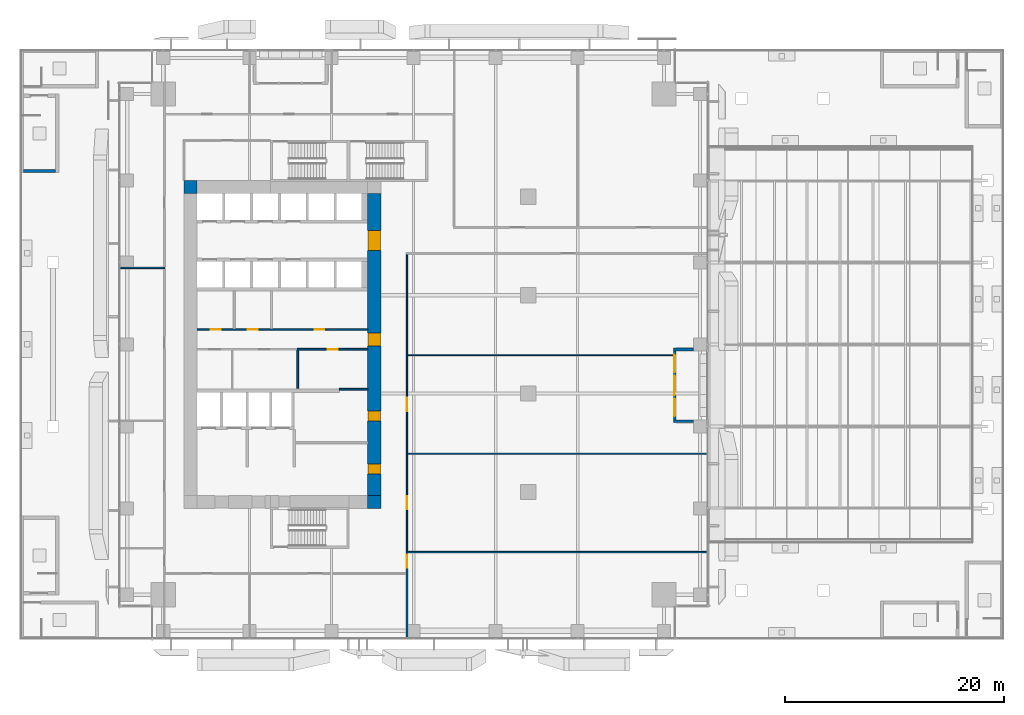
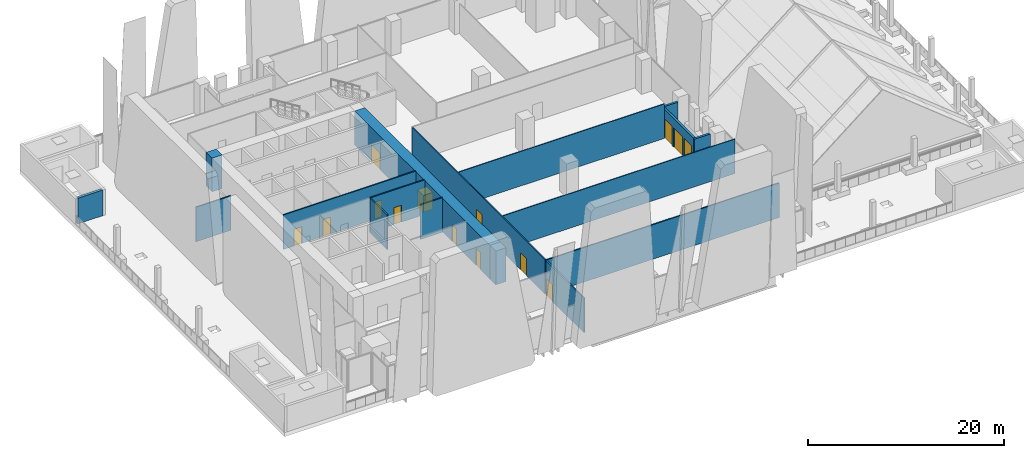
# One storey, part 36 of 46: 17 walls, 12 doors, 2 windows, 14 openings.
"""IFC4 building model written with IfcOpenShell, lengths in metres."""

from ifc_helpers import new_model, si_unit, direction, frame, frame_2d, origin, place, context, subcontext, project, spatial, rectangle, extrude, source, transform, mapped, material, layer, layer_set, type_object, element, fill, save


model = new_model("IFC4")

# Units and contexts
model_context = context("Model", 3, precision=1e-05, world=origin(), true_north=direction((0.0, 1.0)))
body_context = subcontext(model_context, "Body", "Model", "MODEL_VIEW")
ifc_project = project(units=[si_unit("LENGTHUNIT", "METRE"), si_unit("AREAUNIT", "SQUARE_METRE"), si_unit("VOLUMEUNIT", "CUBIC_METRE"), si_unit("PLANEANGLEUNIT", "RADIAN"), si_unit("MASSUNIT", "GRAM", prefix="KILO")], contexts=[model_context])

# Site, building, storey
site_placement = place(None, origin())
site = spatial("IfcSite", under=ifc_project, at=site_placement, CompositionType="ELEMENT")
building_placement = place(site_placement, origin())
building = spatial("IfcBuilding", under=site, at=building_placement, Name="Khomas Fold Tower", CompositionType="ELEMENT")
storey_placement = place(building_placement, frame((0.0, 0.0, 33.0)))
storey = spatial("IfcBuildingStorey", under=building, at=storey_placement, Name="L06", CompositionType="ELEMENT", Elevation=33.0)

# Walls
ifc_material_1 = material(Name="Concrete C70/85", Category="concrete")
ifc_layer_1 = layer(ifc_material_1, 1.199951171875)
ifc_layer_set_1 = layer_set([ifc_layer_1], Name="Concrete C70/85")
wall_type_1 = type_object("IfcWallType", Name="Core corner wall 1200", PredefinedType="SHEAR", material=ifc_layer_set_1)
shared_shape_1 = source(origin(), body_context, "Body", "SweptSolid", [
    extrude(rectangle(XDim=1.199951171875, YDim=1.199951171875, at=frame_2d((0.60009765625, 0.0))), origin(), (0.0, 0.0, 1.0), 4.199951171875),
])
for number, where, z_axis, x_axis, name in (
    (1, (6.0, 41.39990234375, 0.0), (0.0, 0.0, 1.0), (1.0, 0.0, 0.0), "Core wall CW-L-NW-B2"),
    (2, (22.800048828125, 12.60009765625, 0.0), (0.0, 0.0, 1.0), (1.0, 0.0, 0.0), "Core wall CW-L-SE-B2"),
):
    element("IfcWall", number, at=place(storey_placement, frame(where, z_axis=z_axis, x_axis=x_axis)), inside=storey, type_object=wall_type_1, Name=name, PredefinedType="SHEAR", context=body_context, shape_type="MappedRepresentation", body=[
        mapped(shared_shape_1, transform((0.0, 0.0, 0.0))),
    ])

# Wall, openings, doors
ifc_material_2 = material(Name="Concrete C70/85", Category="concrete")
ifc_layer_2 = layer(ifc_material_2, 1.199951171875)
ifc_layer_set_2 = layer_set([ifc_layer_2], Name="Concrete C70/85")
wall_type_2 = type_object("IfcWallType", Name="Core wall 1200", PredefinedType="SHEAR", material=ifc_layer_set_2)
shared_shape_2 = source(origin(), body_context, "Body", "SweptSolid", [
    extrude(rectangle(XDim=27.60009765625, YDim=1.199951171875, at=frame_2d((13.800048828125, 0.0))), origin(), (0.0, 0.0, 1.0), 4.199951171875),
])
wall_1_placement = place(storey_placement, frame((23.39990234375, 13.199951171875, 0.0), z_axis=(0.0, 0.0, 1.0), x_axis=(0.0, 1.0, 0.0)))
wall_1 = element("IfcWall", 3, at=wall_1_placement, inside=storey, type_object=wall_type_2, Name="Core wall CW-L-E-B2", PredefinedType="SHEAR", context=body_context, shape_type="MappedRepresentation", body=[
    mapped(shared_shape_2, transform((0.0, 0.0, 0.0))),
])
shared_shape_3 = source(origin(), body_context, "Body", "SweptSolid", [
    extrude(rectangle(XDim=1.800048828125, YDim=2.10009765625, at=frame_2d((0.89990234375, 1.050048828125))), frame((0.0, 0.60986328125, 0.0), z_axis=(0.0, -1.0, 0.0), x_axis=(1.0, 0.0, 0.0)), (0.0, 0.0, 1.0), 1.219970703125),
])
opening_1_placement = place(wall_1_placement, frame((22.39990234375, 0.0, 0.0)))
opening_1 = element("IfcOpeningElement", 4, at=opening_1_placement, cuts=wall_1, Name="Opening 0015", PredefinedType="OPENING", context=body_context, shape_type="MappedRepresentation", body=[
    mapped(shared_shape_3, transform((0.0, 0.0, 0.0))),
])
shared_shape_4 = source(origin(), body_context, "Body", "SweptSolid", [
    extrude(rectangle(XDim=1.199951171875, YDim=2.10009765625, at=frame_2d((0.60009765625, 1.050048828125))), frame((0.0, 0.60986328125, 0.0), z_axis=(0.0, -1.0, 0.0), x_axis=(1.0, 0.0, 0.0)), (0.0, 0.0, 1.0), 1.219970703125),
])
opening_2_placement = place(wall_1_placement, frame((13.64990234375, 0.0, 0.0)))
opening_2 = element("IfcOpeningElement", 5, at=opening_2_placement, cuts=wall_1, Name="Opening 0001", PredefinedType="OPENING", context=body_context, shape_type="MappedRepresentation", body=[
    mapped(shared_shape_4, transform((0.0, 0.0, 0.0))),
])
shared_shape_5 = source(origin(), body_context, "Body", "SweptSolid", [
    extrude(rectangle(XDim=0.89990234375, YDim=2.10009765625, at=frame_2d((0.449951171875, 1.050048828125))), frame((0.0, 0.60986328125, 0.0), z_axis=(0.0, -1.0, 0.0), x_axis=(1.0, 0.0, 0.0)), (0.0, 0.0, 1.0), 1.219970703125),
])
opening_3_placement = place(wall_1_placement, frame((1.949951171875, 0.0, 0.0)))
opening_3 = element("IfcOpeningElement", 6, at=opening_3_placement, cuts=wall_1, Name="Opening 0003", PredefinedType="OPENING", context=body_context, shape_type="MappedRepresentation", body=[
    mapped(shared_shape_5, transform((0.0, 0.0, 0.0))),
])
opening_4_placement = place(wall_1_placement, frame((6.800048828125, 0.0, 0.0)))
opening_4 = element("IfcOpeningElement", 7, at=opening_4_placement, cuts=wall_1, Name="Opening 0003", PredefinedType="OPENING", context=body_context, shape_type="MappedRepresentation", body=[
    mapped(shared_shape_5, transform((0.0, 0.0, 0.0))),
])
ifc_material_3 = material(Name="Timber door leaf", Category="wood")
door_type_1 = type_object("IfcDoorType", Name="Door 1200x2100 right-hand", OperationType="SINGLE_SWING_RIGHT", PredefinedType="DOOR", material=ifc_material_3)
shared_shape_6 = source(origin(), body_context, "Body", "SweptSolid", [
    extrude(rectangle(XDim=1.199951171875, YDim=2.10009765625, at=frame_2d((0.60009765625, 1.050048828125))), frame((0.0, 0.5498046875, 0.0), z_axis=(0.0, -1.0, 0.0), x_axis=(1.0, 0.0, 0.0)), (0.0, 0.0, 1.0), 1.099853515625),
])
door_1_placement = place(opening_2_placement, origin())
door_1 = element("IfcDoor", 8, at=door_1_placement, inside=storey, type_object=door_type_1, Name="Door", OperationType="SINGLE_SWING_RIGHT", OverallHeight=2.10009765625, OverallWidth=1.199951171875, PredefinedType="DOOR", context=body_context, shape_type="MappedRepresentation", body=[
    mapped(shared_shape_6, transform((0.0, 0.0, 0.0))),
])
fill(opening_2, door_1)
ifc_material_4 = material(Name="Steel door leaf", Category="steel")
door_type_2 = type_object("IfcDoorType", Name="Plant room door 900x2100 right-hand", OperationType="SINGLE_SWING_RIGHT", PredefinedType="DOOR", material=ifc_material_4)
shared_shape_7 = source(origin(), body_context, "Body", "SweptSolid", [
    extrude(rectangle(XDim=0.89990234375, YDim=2.10009765625, at=frame_2d((0.449951171875, 1.050048828125))), frame((0.0, 0.5498046875, 0.0), z_axis=(0.0, -1.0, 0.0), x_axis=(1.0, 0.0, 0.0)), (0.0, 0.0, 1.0), 1.099853515625),
])
door_2_placement = place(opening_3_placement, origin())
door_2 = element("IfcDoor", 9, at=door_2_placement, inside=storey, type_object=door_type_2, Name="Plant room door", OperationType="SINGLE_SWING_RIGHT", OverallHeight=2.10009765625, OverallWidth=0.89990234375, PredefinedType="DOOR", context=body_context, shape_type="MappedRepresentation", body=[
    mapped(shared_shape_7, transform((0.0, 0.0, 0.0))),
])
fill(opening_3, door_2)
door_3_placement = place(opening_4_placement, origin())
door_3 = element("IfcDoor", 10, at=door_3_placement, inside=storey, type_object=door_type_2, Name="Plant room door", OperationType="SINGLE_SWING_RIGHT", OverallHeight=2.10009765625, OverallWidth=0.89990234375, PredefinedType="DOOR", context=body_context, shape_type="MappedRepresentation", body=[
    mapped(shared_shape_7, transform((0.0, 0.0, 0.0))),
])
fill(opening_4, door_3)
ifc_material_5 = material(Name="Steel door leaf", Category="steel")
door_type_3 = type_object("IfcDoorType", Name="Lobby door 1800x2100", OperationType="DOUBLE_DOOR_SINGLE_SWING", PredefinedType="DOOR", material=ifc_material_5)
shared_shape_8 = source(origin(), body_context, "Body", "SweptSolid", [
    extrude(rectangle(XDim=1.800048828125, YDim=2.10009765625, at=frame_2d((0.89990234375, 1.050048828125))), frame((0.0, 0.5498046875, 0.0), z_axis=(0.0, -1.0, 0.0), x_axis=(1.0, 0.0, 0.0)), (0.0, 0.0, 1.0), 1.099853515625),
])
door_4_placement = place(opening_1_placement, origin())
door_4 = element("IfcDoor", 11, at=door_4_placement, inside=storey, type_object=door_type_3, Name="Lobby door", OperationType="DOUBLE_DOOR_SINGLE_SWING", OverallHeight=2.10009765625, OverallWidth=1.800048828125, PredefinedType="DOOR", context=body_context, shape_type="MappedRepresentation", body=[
    mapped(shared_shape_8, transform((0.0, 0.0, 0.0))),
])
fill(opening_1, door_4)

# Wall, openings, windows, door
ifc_material_6 = material(Name="Natural stone", Category="masonry")
ifc_layer_3 = layer(ifc_material_6, 0.0400390625)
ifc_material_7 = material(Name="Mineral wool insulation", Category="insulation")
ifc_layer_4 = layer(ifc_material_7, 0.10009765625)
ifc_material_8 = material(Name="Masonry", Category="masonry")
ifc_layer_5 = layer(ifc_material_8, 0.110107421875)
ifc_layer_set_3 = layer_set([ifc_layer_3, ifc_layer_4, ifc_layer_5], Name="Stone-faced insulated masonry")
wall_type_3 = type_object("IfcWallType", Name="BL-Balcony wall", PredefinedType="SOLIDWALL", material=ifc_layer_set_3)
shared_shape_9 = source(origin(), body_context, "Body", "SweptSolid", [
    extrude(rectangle(XDim=6.2998046875, YDim=0.25, at=frame_2d((3.14990234375, 0.0))), origin(), (0.0, 0.0, 1.0), 3.60009765625),
])
wall_2_placement = place(storey_placement, frame((50.875, 20.10009765625, 0.0), z_axis=(0.0, 0.0, 1.0), x_axis=(0.0, 1.0, 0.0)))
wall_2 = element("IfcWall", 12, at=wall_2_placement, inside=storey, type_object=wall_type_3, Name="Balcony wall BAL-L06-E2", PredefinedType="SOLIDWALL", context=body_context, shape_type="MappedRepresentation", body=[
    mapped(shared_shape_9, transform((0.0, 0.0, 0.0))),
])
shared_shape_10 = source(origin(), body_context, "Body", "SweptSolid", [
    extrude(rectangle(XDim=1.60009765625, YDim=2.39990234375, at=frame_2d((0.800048828125, 1.199951171875))), frame((0.0, 0.135009765625, 0.0), z_axis=(0.0, -1.0, 0.0), x_axis=(1.0, 0.0, 0.0)), (0.0, 0.0, 1.0), 0.27001953125),
])
opening_5_placement = place(wall_2_placement, frame((0.35009765625, 0.0, 0.0)))
opening_5 = element("IfcOpeningElement", 13, at=opening_5_placement, cuts=wall_2, Name="Opening BL-W1", PredefinedType="OPENING", context=body_context, shape_type="MappedRepresentation", body=[
    mapped(shared_shape_10, transform((0.0, 0.0, 0.0))),
])
opening_6_placement = place(wall_2_placement, frame((4.35009765625, 0.0, 0.0)))
opening_6 = element("IfcOpeningElement", 14, at=opening_6_placement, cuts=wall_2, Name="Opening BL-W1", PredefinedType="OPENING", context=body_context, shape_type="MappedRepresentation", body=[
    mapped(shared_shape_10, transform((0.0, 0.0, 0.0))),
])
shared_shape_11 = source(origin(), body_context, "Body", "SweptSolid", [
    extrude(rectangle(XDim=1.800048828125, YDim=2.39990234375, at=frame_2d((0.89990234375, 1.199951171875))), frame((0.0, 0.135009765625, 0.0), z_axis=(0.0, -1.0, 0.0), x_axis=(1.0, 0.0, 0.0)), (0.0, 0.0, 1.0), 0.27001953125),
])
opening_7_placement = place(wall_2_placement, frame((2.25, 0.0, 0.0)))
opening_7 = element("IfcOpeningElement", 15, at=opening_7_placement, cuts=wall_2, Name="Opening BD062", PredefinedType="OPENING", context=body_context, shape_type="MappedRepresentation", body=[
    mapped(shared_shape_11, transform((0.0, 0.0, 0.0))),
])
ifc_material_9 = material(Name="Aluminium framed double glazing", Category="aluminium")
window_type = type_object("IfcWindowType", Name="BL-Fixed glazing 1600 x 2400", PartitioningType="SINGLE_PANEL", PredefinedType="WINDOW", material=ifc_material_9)
shared_shape_12 = source(origin(), body_context, "Body", "SweptSolid", [
    extrude(rectangle(XDim=1.60009765625, YDim=2.39990234375, at=frame_2d((0.800048828125, 1.199951171875))), frame((0.0, 0.030029296875, 0.0), z_axis=(0.0, -1.0, 0.0), x_axis=(1.0, 0.0, 0.0)), (0.0, 0.0, 1.0), 0.06005859375),
])
window_1_placement = place(opening_5_placement, origin())
window_1 = element("IfcWindow", 16, at=window_1_placement, inside=storey, type_object=window_type, Name="Balcony glazing BAL-L06-E2-1", OverallHeight=2.39990234375, OverallWidth=1.60009765625, PartitioningType="SINGLE_PANEL", PredefinedType="WINDOW", context=body_context, shape_type="MappedRepresentation", body=[
    mapped(shared_shape_12, transform((0.0, 0.0, 0.0))),
])
fill(opening_5, window_1)
window_2_placement = place(opening_6_placement, origin())
window_2 = element("IfcWindow", 17, at=window_2_placement, inside=storey, type_object=window_type, Name="Balcony glazing BAL-L06-E2-2", OverallHeight=2.39990234375, OverallWidth=1.60009765625, PartitioningType="SINGLE_PANEL", PredefinedType="WINDOW", context=body_context, shape_type="MappedRepresentation", body=[
    mapped(shared_shape_12, transform((0.0, 0.0, 0.0))),
])
fill(opening_6, window_2)
ifc_material_10 = material(Name="Aluminium framed double glazing", Category="aluminium")
door_type_4 = type_object("IfcDoorType", Name="BL-Glazed balcony door 1800 x 2400", OperationType="DOUBLE_DOOR_DOUBLE_SWING", PredefinedType="DOOR", material=ifc_material_10)
shared_shape_13 = source(origin(), body_context, "Body", "SweptSolid", [
    extrude(rectangle(XDim=1.800048828125, YDim=2.39990234375, at=frame_2d((0.89990234375, 1.199951171875))), frame((0.0, 0.02490234375, 0.0), z_axis=(0.0, -1.0, 0.0), x_axis=(1.0, 0.0, 0.0)), (0.0, 0.0, 1.0), 0.050048828125),
])
door_5_placement = place(opening_7_placement, origin())
door_5 = element("IfcDoor", 18, at=door_5_placement, inside=storey, type_object=door_type_4, Name="Balcony door BD062", OperationType="DOUBLE_DOOR_DOUBLE_SWING", OverallHeight=2.39990234375, OverallWidth=1.800048828125, PredefinedType="DOOR", context=body_context, shape_type="MappedRepresentation", body=[
    mapped(shared_shape_13, transform((0.0, 0.0, 0.0))),
])
fill(opening_7, door_5)

# Walls
shared_shape_14 = source(origin(), body_context, "Body", "SweptSolid", [
    extrude(rectangle(XDim=1.85009765625, YDim=0.25, at=frame_2d((0.925048828125, 0.0))), origin(), (0.0, 0.0, 1.0), 3.60009765625),
])
for number, where, z_axis, x_axis, name in (
    (19, (52.60009765625, 19.97509765625, 0.0), (0.0, 0.0, 1.0), (-1.0, 0.0, 0.0), "Balcony return wall BAL-L06-E2-lo"),
    (20, (52.60009765625, 26.52490234375, 0.0), (0.0, 0.0, 1.0), (-1.0, 0.0, 0.0), "Balcony return wall BAL-L06-E2-hi"),
):
    element("IfcWall", number, at=place(storey_placement, frame(where, z_axis=z_axis, x_axis=x_axis)), inside=storey, type_object=wall_type_3, Name=name, PredefinedType="SOLIDWALL", context=body_context, shape_type="MappedRepresentation", body=[
        mapped(shared_shape_14, transform((0.0, 0.0, 0.0))),
    ])
ifc_material_11 = material(Name="Concrete C40/50", Category="concrete")
ifc_layer_6 = layer(ifc_material_11, 0.300048828125)
ifc_layer_set_4 = layer_set([ifc_layer_6], Name="Concrete C40/50")
wall_type_4 = type_object("IfcWallType", Name="Stair head house wall PD-HW", PredefinedType="SOLIDWALL", material=ifc_layer_set_4)
shared_shape_15 = source(origin(), body_context, "Body", "SweptSolid", [
    extrude(rectangle(XDim=2.949951171875, YDim=0.300048828125, at=frame_2d((1.47509765625, 0.0))), origin(), (0.0, 0.0, 1.0), 3.199951171875),
])
wall_3_placement = place(storey_placement, frame((-8.699951171875, 42.85009765625, 0.0), z_axis=(0.0, 0.0, 1.0), x_axis=(1.0, 0.0, 0.0)))
element("IfcWall", 21, at=wall_3_placement, inside=storey, type_object=wall_type_4, Name="Stair head house wall", PredefinedType="SOLIDWALL", context=body_context, shape_type="MappedRepresentation", body=[
    mapped(shared_shape_15, transform((0.0, 0.0, 0.0))),
])

# Wall, opening, door
ifc_material_12 = material(Name="Plasterboard fire partition")
ifc_layer_7 = layer(ifc_material_12, 0.14990234375)
ifc_layer_set_5 = layer_set([ifc_layer_7], Name="Plasterboard fire partition")
wall_type_5 = type_object("IfcWallType", Name="Plant room wall PW3 150", PredefinedType="PARTITIONING", material=ifc_layer_set_5)
shared_shape_16 = source(origin(), body_context, "Body", "SweptSolid", [
    extrude(rectangle(XDim=7.75, YDim=0.14990234375, at=frame_2d((3.875, 0.0))), origin(), (0.0, 0.0, 1.0), 4.300048828125),
])
wall_4_placement = place(storey_placement, frame((26.39990234375, 0.14990234375, 0.0), z_axis=(0.0, 0.0, 1.0), x_axis=(0.0, 1.0, 0.0)))
wall_4 = element("IfcWall", 22, at=wall_4_placement, inside=storey, type_object=wall_type_5, Name="Plant room wall", PredefinedType="PARTITIONING", context=body_context, shape_type="MappedRepresentation", body=[
    mapped(shared_shape_16, transform((0.0, 0.0, 0.0))),
])
shared_shape_17 = source(origin(), body_context, "Body", "SweptSolid", [
    extrude(rectangle(XDim=1.199951171875, YDim=2.10009765625, at=frame_2d((0.60009765625, 1.050048828125))), frame((0.0, 0.0849609375, 0.0), z_axis=(0.0, -1.0, 0.0), x_axis=(1.0, 0.0, 0.0)), (0.0, 0.0, 1.0), 0.169921875),
])
opening_8_placement = place(wall_4_placement, frame((6.39990234375, 0.0, 0.0)))
opening_8 = element("IfcOpeningElement", 23, at=opening_8_placement, cuts=wall_4, Name="Opening 0011", PredefinedType="OPENING", context=body_context, shape_type="MappedRepresentation", body=[
    mapped(shared_shape_17, transform((0.0, 0.0, 0.0))),
])
ifc_material_13 = material(Name="Steel door leaf", Category="steel")
door_type_5 = type_object("IfcDoorType", Name="Plant room door 1200x2100 right-hand", OperationType="SINGLE_SWING_RIGHT", PredefinedType="DOOR", material=ifc_material_13)
shared_shape_18 = source(origin(), body_context, "Body", "SweptSolid", [
    extrude(rectangle(XDim=1.199951171875, YDim=2.10009765625, at=frame_2d((0.60009765625, 1.050048828125))), frame((0.0, 0.02490234375, 0.0), z_axis=(0.0, -1.0, 0.0), x_axis=(1.0, 0.0, 0.0)), (0.0, 0.0, 1.0), 0.050048828125),
])
door_6_placement = place(opening_8_placement, origin())
door_6 = element("IfcDoor", 24, at=door_6_placement, inside=storey, type_object=door_type_5, Name="Plant room door", OperationType="SINGLE_SWING_RIGHT", OverallHeight=2.10009765625, OverallWidth=1.199951171875, PredefinedType="DOOR", context=body_context, shape_type="MappedRepresentation", body=[
    mapped(shared_shape_18, transform((0.0, 0.0, 0.0))),
])
fill(opening_8, door_6)

# Wall
shared_shape_19 = source(origin(), body_context, "Body", "SweptSolid", [
    extrude(rectangle(XDim=27.5, YDim=0.14990234375, at=frame_2d((13.75, 0.0))), origin(), (0.0, 0.0, 1.0), 4.300048828125),
])
wall_5_placement = place(storey_placement, frame((26.35009765625, 8.0, 0.0), z_axis=(0.0, 0.0, 1.0), x_axis=(1.0, 0.0, 0.0)))
element("IfcWall", 25, at=wall_5_placement, inside=storey, type_object=wall_type_5, Name="Plant room wall", PredefinedType="PARTITIONING", context=body_context, shape_type="MappedRepresentation", body=[
    mapped(shared_shape_19, transform((0.0, 0.0, 0.0))),
])

# Wall, openings, doors
ifc_material_14 = material(Name="Plasterboard partition")
ifc_layer_8 = layer(ifc_material_14, 0.125)
ifc_layer_set_6 = layer_set([ifc_layer_8], Name="Plasterboard partition")
wall_type_6 = type_object("IfcWallType", Name="Partition PW2 125", PredefinedType="PARTITIONING", material=ifc_layer_set_6)
shared_shape_20 = source(origin(), body_context, "Body", "SweptSolid", [
    extrude(rectangle(XDim=27.099853515625, YDim=0.125, at=frame_2d((13.5498046875, 0.0))), origin(), (0.0, 0.0, 1.0), 4.300048828125),
])
wall_6_placement = place(storey_placement, frame((26.39990234375, 8.10009765625, 0.0), z_axis=(0.0, 0.0, 1.0), x_axis=(0.0, 1.0, 0.0)))
wall_6 = element("IfcWall", 26, at=wall_6_placement, inside=storey, type_object=wall_type_6, Name="Partition", PredefinedType="PARTITIONING", context=body_context, shape_type="MappedRepresentation", body=[
    mapped(shared_shape_20, transform((0.0, 0.0, 0.0))),
])
shared_shape_21 = source(origin(), body_context, "Body", "SweptSolid", [
    extrude(rectangle(XDim=1.199951171875, YDim=2.10009765625, at=frame_2d((0.60009765625, 1.050048828125))), frame((0.0, 0.072509765625, 0.0), z_axis=(0.0, -1.0, 0.0), x_axis=(1.0, 0.0, 0.0)), (0.0, 0.0, 1.0), 0.14501953125),
])
opening_9_placement = place(wall_6_placement, frame((3.800048828125, 0.0, 0.0)))
opening_9 = element("IfcOpeningElement", 27, at=opening_9_placement, cuts=wall_6, Name="Opening 0013", PredefinedType="OPENING", context=body_context, shape_type="MappedRepresentation", body=[
    mapped(shared_shape_21, transform((0.0, 0.0, 0.0))),
])
opening_10_placement = place(wall_6_placement, frame((12.800048828125, 0.0, 0.0)))
opening_10 = element("IfcOpeningElement", 28, at=opening_10_placement, cuts=wall_6, Name="Opening 0013", PredefinedType="OPENING", context=body_context, shape_type="MappedRepresentation", body=[
    mapped(shared_shape_21, transform((0.0, 0.0, 0.0))),
])
ifc_material_15 = material(Name="Timber door leaf", Category="wood")
door_type_6 = type_object("IfcDoorType", Name="Door 1200x2100 left-hand", OperationType="SINGLE_SWING_LEFT", PredefinedType="DOOR", material=ifc_material_15)
door_7_placement = place(opening_9_placement, origin())
door_7 = element("IfcDoor", 29, at=door_7_placement, inside=storey, type_object=door_type_6, Name="Door", OperationType="SINGLE_SWING_LEFT", OverallHeight=2.10009765625, OverallWidth=1.199951171875, PredefinedType="DOOR", context=body_context, shape_type="MappedRepresentation", body=[
    mapped(shared_shape_18, transform((0.0, 0.0, 0.0))),
])
fill(opening_9, door_7)
door_8_placement = place(opening_10_placement, origin())
door_8 = element("IfcDoor", 30, at=door_8_placement, inside=storey, type_object=door_type_6, Name="Door", OperationType="SINGLE_SWING_LEFT", OverallHeight=2.10009765625, OverallWidth=1.199951171875, PredefinedType="DOOR", context=body_context, shape_type="MappedRepresentation", body=[
    mapped(shared_shape_18, transform((0.0, 0.0, 0.0))),
])
fill(opening_10, door_8)

# Walls
ifc_material_16 = material(Name="Plasterboard partition")
ifc_layer_9 = layer(ifc_material_16, 0.10009765625)
ifc_layer_set_7 = layer_set([ifc_layer_9], Name="Plasterboard partition")
wall_type_7 = type_object("IfcWallType", Name="Partition PW1 100", PredefinedType="PARTITIONING", material=ifc_layer_set_7)
shared_shape_22 = source(origin(), body_context, "Body", "SweptSolid", [
    extrude(rectangle(XDim=27.35009765625, YDim=0.10009765625, at=frame_2d((13.675048828125, 0.0))), origin(), (0.0, 0.0, 1.0), 4.300048828125),
])
wall_7_placement = place(storey_placement, frame((26.5, 17.0, 0.0), z_axis=(0.0, 0.0, 1.0), x_axis=(1.0, 0.0, 0.0)))
element("IfcWall", 31, at=wall_7_placement, inside=storey, type_object=wall_type_7, Name="Partition", PredefinedType="PARTITIONING", context=body_context, shape_type="MappedRepresentation", body=[
    mapped(shared_shape_22, transform((0.0, 0.0, 0.0))),
])
shared_shape_23 = source(origin(), body_context, "Body", "SweptSolid", [
    extrude(rectangle(XDim=2.60009765625, YDim=0.14990234375, at=frame_2d((1.300048828125, 0.0))), origin(), (0.0, 0.0, 1.0), 4.300048828125),
])
wall_8_placement = place(storey_placement, frame((20.199951171875, 22.89990234375, 0.0), z_axis=(0.0, 0.0, 1.0), x_axis=(1.0, 0.0, 0.0)))
element("IfcWall", 32, at=wall_8_placement, inside=storey, type_object=wall_type_5, Name="Plant room wall", PredefinedType="PARTITIONING", context=body_context, shape_type="MappedRepresentation", body=[
    mapped(shared_shape_23, transform((0.0, 0.0, 0.0))),
])
shared_shape_24 = source(origin(), body_context, "Body", "SweptSolid", [
    extrude(rectangle(XDim=3.449951171875, YDim=0.14990234375, at=frame_2d((1.72509765625, 0.0))), origin(), (0.0, 0.0, 1.0), 4.300048828125),
])
wall_9_placement = place(storey_placement, frame((16.39990234375, 23.0, 0.0), z_axis=(0.0, 0.0, 1.0), x_axis=(0.0, 1.0, 0.0)))
element("IfcWall", 33, at=wall_9_placement, inside=storey, type_object=wall_type_5, Name="Plant room wall", PredefinedType="PARTITIONING", context=body_context, shape_type="MappedRepresentation", body=[
    mapped(shared_shape_24, transform((0.0, 0.0, 0.0))),
])
shared_shape_25 = source(origin(), body_context, "Body", "SweptSolid", [
    extrude(rectangle(XDim=24.25, YDim=0.10009765625, at=frame_2d((12.125, 0.0))), origin(), (0.0, 0.0, 1.0), 4.300048828125),
])
wall_10_placement = place(storey_placement, frame((26.5, 26.0, 0.0), z_axis=(0.0, 0.0, 1.0), x_axis=(1.0, 0.0, 0.0)))
element("IfcWall", 34, at=wall_10_placement, inside=storey, type_object=wall_type_7, Name="Partition", PredefinedType="PARTITIONING", context=body_context, shape_type="MappedRepresentation", body=[
    mapped(shared_shape_25, transform((0.0, 0.0, 0.0))),
])

# Wall, opening, door
shared_shape_26 = source(origin(), body_context, "Body", "SweptSolid", [
    extrude(rectangle(XDim=6.449951171875, YDim=0.14990234375, at=frame_2d((3.22509765625, 0.0))), origin(), (0.0, 0.0, 1.0), 4.300048828125),
])
wall_11_placement = place(storey_placement, frame((16.35009765625, 26.550048828125, 0.0), z_axis=(0.0, 0.0, 1.0), x_axis=(1.0, 0.0, 0.0)))
wall_11 = element("IfcWall", 35, at=wall_11_placement, inside=storey, type_object=wall_type_5, Name="Plant room wall", PredefinedType="PARTITIONING", context=body_context, shape_type="MappedRepresentation", body=[
    mapped(shared_shape_26, transform((0.0, 0.0, 0.0))),
])
shared_shape_27 = source(origin(), body_context, "Body", "SweptSolid", [
    extrude(rectangle(XDim=0.89990234375, YDim=2.10009765625, at=frame_2d((0.449951171875, 1.050048828125))), frame((0.0, 0.0849609375, 0.0), z_axis=(0.0, -1.0, 0.0), x_axis=(1.0, 0.0, 0.0)), (0.0, 0.0, 1.0), 0.169921875),
])
opening_11_placement = place(wall_11_placement, frame((2.800048828125, 0.0, 0.0)))
opening_11 = element("IfcOpeningElement", 36, at=opening_11_placement, cuts=wall_11, Name="Opening 0002", PredefinedType="OPENING", context=body_context, shape_type="MappedRepresentation", body=[
    mapped(shared_shape_27, transform((0.0, 0.0, 0.0))),
])
ifc_material_17 = material(Name="Steel door leaf", Category="steel")
door_type_7 = type_object("IfcDoorType", Name="Plant room door 900x2100 left-hand", OperationType="SINGLE_SWING_LEFT", PredefinedType="DOOR", material=ifc_material_17)
shared_shape_28 = source(origin(), body_context, "Body", "SweptSolid", [
    extrude(rectangle(XDim=0.89990234375, YDim=2.10009765625, at=frame_2d((0.449951171875, 1.050048828125))), frame((0.0, 0.02490234375, 0.0), z_axis=(0.0, -1.0, 0.0), x_axis=(1.0, 0.0, 0.0)), (0.0, 0.0, 1.0), 0.050048828125),
])
door_9_placement = place(opening_11_placement, origin())
door_9 = element("IfcDoor", 37, at=door_9_placement, inside=storey, type_object=door_type_7, Name="Plant room door", OperationType="SINGLE_SWING_LEFT", OverallHeight=2.10009765625, OverallWidth=0.89990234375, PredefinedType="DOOR", context=body_context, shape_type="MappedRepresentation", body=[
    mapped(shared_shape_28, transform((0.0, 0.0, 0.0))),
])
fill(opening_11, door_9)

# Wall, openings, doors
shared_shape_29 = source(origin(), body_context, "Body", "SweptSolid", [
    extrude(rectangle(XDim=15.60009765625, YDim=0.14990234375, at=frame_2d((7.800048828125, 0.0))), origin(), (0.0, 0.0, 1.0), 4.300048828125),
])
wall_12_placement = place(storey_placement, frame((7.199951171875, 28.35009765625, 0.0), z_axis=(0.0, 0.0, 1.0), x_axis=(1.0, 0.0, 0.0)))
wall_12 = element("IfcWall", 38, at=wall_12_placement, inside=storey, type_object=wall_type_5, Name="Plant room wall", PredefinedType="PARTITIONING", context=body_context, shape_type="MappedRepresentation", body=[
    mapped(shared_shape_29, transform((0.0, 0.0, 0.0))),
])
opening_12_placement = place(wall_12_placement, frame((1.25, 0.0, 0.0)))
opening_12 = element("IfcOpeningElement", 39, at=opening_12_placement, cuts=wall_12, Name="Opening 0002", PredefinedType="OPENING", context=body_context, shape_type="MappedRepresentation", body=[
    mapped(shared_shape_27, transform((0.0, 0.0, 0.0))),
])
opening_13_placement = place(wall_12_placement, frame((4.64990234375, 0.0, 0.0)))
opening_13 = element("IfcOpeningElement", 40, at=opening_13_placement, cuts=wall_12, Name="Opening 0003", PredefinedType="OPENING", context=body_context, shape_type="MappedRepresentation", body=[
    mapped(shared_shape_27, transform((0.0, 0.0, 0.0))),
])
opening_14_placement = place(wall_12_placement, frame((10.75, 0.0, 0.0)))
opening_14 = element("IfcOpeningElement", 41, at=opening_14_placement, cuts=wall_12, Name="Opening 0002", PredefinedType="OPENING", context=body_context, shape_type="MappedRepresentation", body=[
    mapped(shared_shape_27, transform((0.0, 0.0, 0.0))),
])
door_10_placement = place(opening_12_placement, origin())
door_10 = element("IfcDoor", 42, at=door_10_placement, inside=storey, type_object=door_type_7, Name="Plant room door", OperationType="SINGLE_SWING_LEFT", OverallHeight=2.10009765625, OverallWidth=0.89990234375, PredefinedType="DOOR", context=body_context, shape_type="MappedRepresentation", body=[
    mapped(shared_shape_28, transform((0.0, 0.0, 0.0))),
])
fill(opening_12, door_10)
door_11_placement = place(opening_13_placement, origin())
door_11 = element("IfcDoor", 43, at=door_11_placement, inside=storey, type_object=door_type_2, Name="Plant room door", OperationType="SINGLE_SWING_RIGHT", OverallHeight=2.10009765625, OverallWidth=0.89990234375, PredefinedType="DOOR", context=body_context, shape_type="MappedRepresentation", body=[
    mapped(shared_shape_28, transform((0.0, 0.0, 0.0))),
])
fill(opening_13, door_11)
door_12_placement = place(opening_14_placement, origin())
door_12 = element("IfcDoor", 44, at=door_12_placement, inside=storey, type_object=door_type_7, Name="Plant room door", OperationType="SINGLE_SWING_LEFT", OverallHeight=2.10009765625, OverallWidth=0.89990234375, PredefinedType="DOOR", context=body_context, shape_type="MappedRepresentation", body=[
    mapped(shared_shape_28, transform((0.0, 0.0, 0.0))),
])
fill(opening_14, door_12)

# Wall
shared_shape_30 = source(origin(), body_context, "Body", "SweptSolid", [
    extrude(rectangle(XDim=4.10009765625, YDim=0.14990234375, at=frame_2d((2.050048828125, 0.0))), origin(), (0.0, 0.0, 1.0), 4.300048828125),
])
wall_13_placement = place(storey_placement, frame((0.14990234375, 34.0, 0.0), z_axis=(0.0, 0.0, 1.0), x_axis=(1.0, 0.0, 0.0)))
element("IfcWall", 45, at=wall_13_placement, inside=storey, type_object=wall_type_5, Name="Plant room wall", PredefinedType="PARTITIONING", context=body_context, shape_type="MappedRepresentation", body=[
    mapped(shared_shape_30, transform((0.0, 0.0, 0.0))),
])

save(model, "model.ifc")
